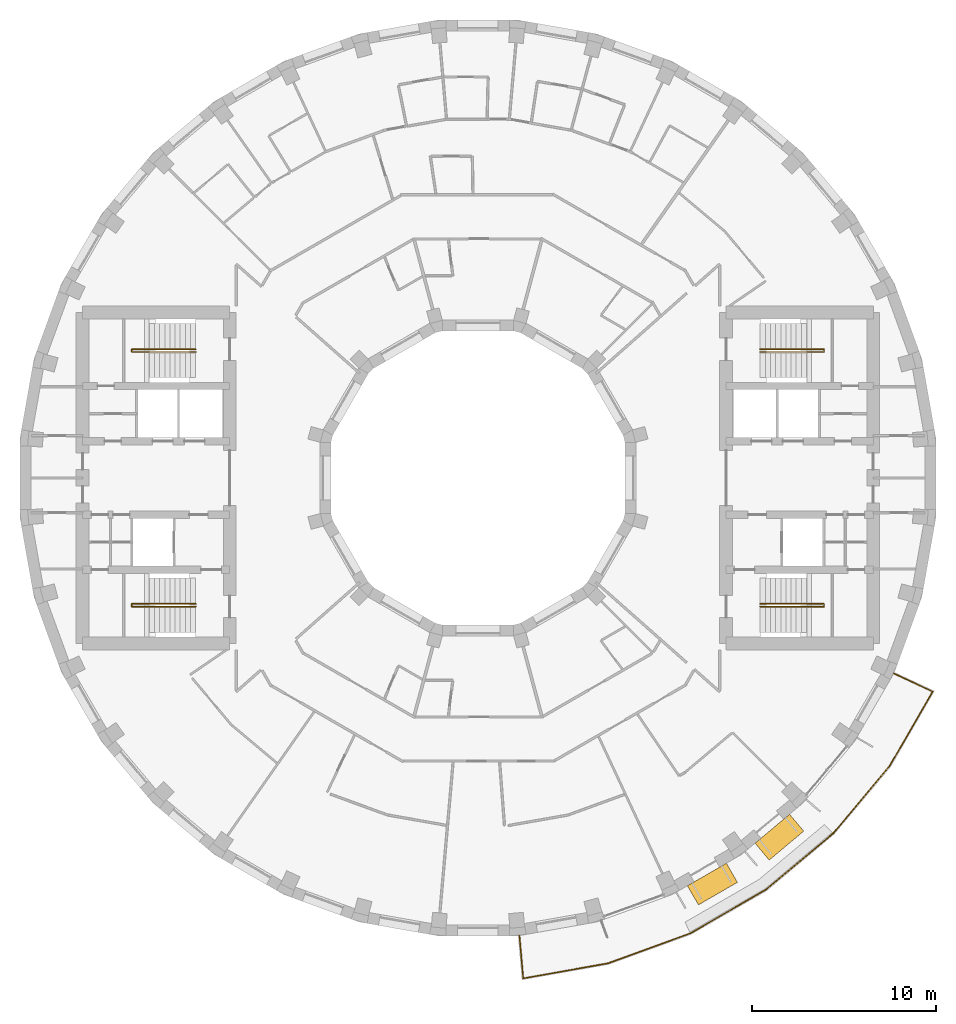
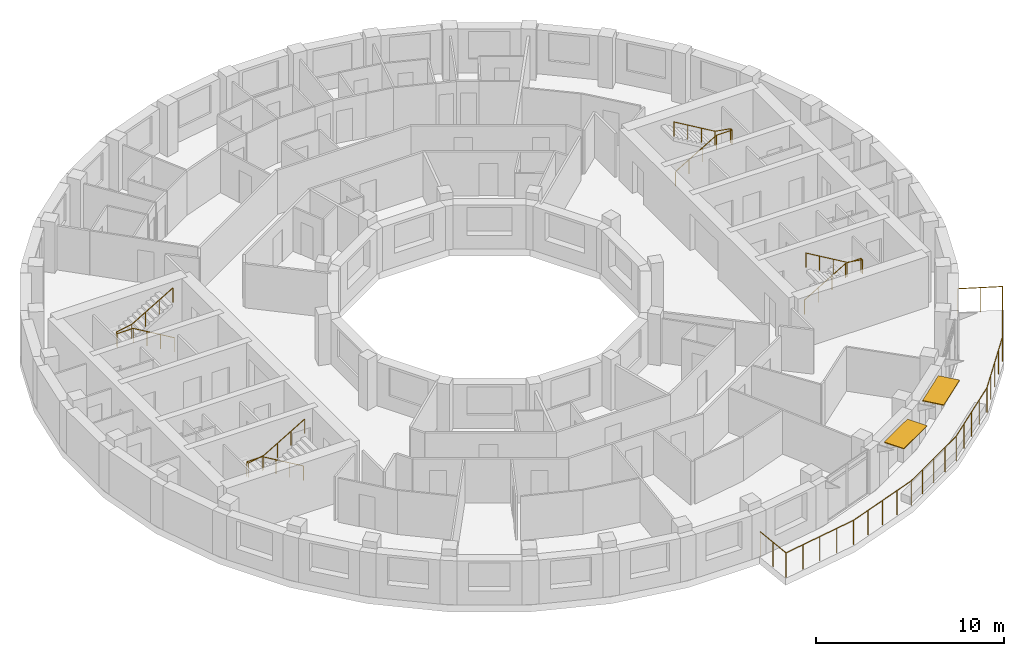
# One storey, part 15 of 15: 5 railings, 2 shading devices.
"""IFC4 building model written with IfcOpenShell, lengths in metres."""

from ifc_helpers import new_model, si_unit, direction, frame, origin, origin_2d, place, context, subcontext, project, spatial, rectangle, circle, extrude, material, layer, layer_set, type_object, element, save


model = new_model("IFC4")

# Units and contexts
model_context = context("Model", 3, precision=1e-05, world=origin(), true_north=direction((0.0, 1.0)))
body_context = subcontext(model_context, "Body", "Model", "MODEL_VIEW")
ifc_project = project(units=[si_unit("LENGTHUNIT", "METRE"), si_unit("AREAUNIT", "SQUARE_METRE"), si_unit("VOLUMEUNIT", "CUBIC_METRE"), si_unit("PLANEANGLEUNIT", "RADIAN"), si_unit("MASSUNIT", "GRAM", prefix="KILO")], contexts=[model_context])

# Site, building, storey
site_placement = place(None, origin())
site = spatial("IfcSite", under=ifc_project, at=site_placement, CompositionType="ELEMENT")
building_placement = place(site_placement, origin())
building = spatial("IfcBuilding", under=site, at=building_placement, Name="Saqina Gate Tower", CompositionType="ELEMENT")
storey_placement = place(building_placement, frame((0.0, 0.0, 164.10009765625)))
storey = spatial("IfcBuildingStorey", under=building, at=storey_placement, Name="L46", CompositionType="ELEMENT", Elevation=164.10009765625)

# Shading devices
ifc_material_1 = material(Name="Aluminium and fabric awning", Category="aluminium")
ifc_layer = layer(ifc_material_1, 0.050048828125)
ifc_layer_set = layer_set([ifc_layer], Name="AW-TERRACE")
shading_device_type = type_object("IfcShadingDeviceType", Name="AW-TERRACE", PredefinedType="AWNING", material=ifc_layer_set)
for number, where, z_axis, x_axis, name in (
    (1, (12.75244140625, -22.087890625, 2.52490234375), (0.0, 0.0, 1.0), (0.866025403784, 0.5, 0.0), "Terrace awning L46 facet 30"),
    (2, (16.394287109375, -19.537841796875, 2.52490234375), (0.0, 0.0, 1.0), (0.766044443119, 0.642787609687, 0.0), "Terrace awning L46 facet 31"),
):
    element("IfcShadingDevice", number, at=place(storey_placement, frame(where, z_axis=z_axis, x_axis=x_axis)), inside=storey, type_object=shading_device_type, Name=name, PredefinedType="AWNING", context=body_context, shape_type="SweptSolid", body=[
        extrude(rectangle(XDim=2.44970703125, YDim=1.199951171875, at=origin_2d()), origin(), (0.0, 0.0, 1.0), 0.050048828125),
    ])

# Railings
ifc_material_2 = material(Name="Stainless steel", Category="steel")
railing_type_1 = type_object("IfcRailingType", Name="RL-TERRACE", PredefinedType="GUARDRAIL", material=ifc_material_2)
railing_1_placement = place(storey_placement, frame((2.25341796875, -24.838134765625, 0.0)))
element("IfcRailing", 3, at=railing_1_placement, inside=storey, type_object=railing_type_1, Name="Terrace guard L46", PredefinedType="GUARDRAIL", context=body_context, shape_type="SweptSolid", body=[
    extrude(circle(Radius=0.02392578125, at=origin_2d()), frame((0.0, 0.0, 1.576171875), z_axis=(0.087172021187, -0.996193273779, 0.0), x_axis=(0.996193273779, 0.087172021187, 0.0)), (0.0, 0.0, 1.0), 2.388916015625),
    extrude(circle(Radius=0.02392578125, at=origin_2d()), frame((0.208251953125, -2.3798828125, 1.576171875), z_axis=(0.984544937317, 0.175132139837, 0.0), x_axis=(-0.175132139837, 0.984544937317, 0.0)), (0.0, 0.0, 1.0), 4.68408203125),
    extrude(circle(Radius=0.02392578125, at=origin_2d()), frame((4.81982421875, -1.5595703125, 1.576171875), z_axis=(0.939688638318, 0.342031084868, 0.0), x_axis=(-0.342031084868, 0.939688638318, 0.0)), (0.0, 0.0, 1.0), 4.763916015625),
    extrude(circle(Radius=0.02392578125, at=origin_2d()), frame((9.29638671875, 0.06982421875, 1.576171875), z_axis=(0.866026842905, 0.499997507361, 0.0), x_axis=(-0.499997507361, 0.866026842905, 0.0)), (0.0, 0.0, 1.0), 4.763671875),
    extrude(circle(Radius=0.02392578125, at=origin_2d()), frame((13.421875, 2.45166015625, 1.576171875), z_axis=(0.766045003037, 0.642786942402, 0.0), x_axis=(-0.642786942402, 0.766045003037, 0.0)), (0.0, 0.0, 1.0), 4.763671875),
    extrude(circle(Radius=0.02392578125, at=origin_2d()), frame((17.071044921875, 5.513671875, 1.576171875), z_axis=(0.642786942402, 0.766045003037, 0.0), x_axis=(-0.766045003037, 0.642786942402, 0.0)), (0.0, 0.0, 1.0), 4.763671875),
    extrude(circle(Radius=0.02392578125, at=origin_2d()), frame((20.133056640625, 9.162841796875, 1.576171875), z_axis=(0.501305396981, 0.865270419555, 0.0), x_axis=(-0.865270419555, 0.501305396981, 0.0)), (0.0, 0.0, 1.0), 4.68408203125),
    extrude(circle(Radius=0.02392578125, at=origin_2d()), frame((22.481201171875, 13.2158203125, 1.576171875), z_axis=(-0.906277108403, 0.422684046048, 0.0), x_axis=(-0.422684046048, -0.906277108403, 0.0)), (0.0, 0.0, 1.0), 2.388916015625),
    extrude(circle(Radius=0.02099609375, at=origin_2d()), origin(), (0.0, 0.0, 1.0), 1.552001953125),
    extrude(circle(Radius=0.02099609375, at=origin_2d()), frame((0.10400390625, -1.18994140625, 0.0)), (0.0, 0.0, 1.0), 1.552001953125),
    extrude(circle(Radius=0.02099609375, at=origin_2d()), frame((0.208251953125, -2.3798828125, 0.0)), (0.0, 0.0, 1.0), 1.552001953125),
    extrude(circle(Radius=0.02099609375, at=origin_2d()), frame((1.361083984375, -2.1748046875, 0.0)), (0.0, 0.0, 1.0), 1.552001953125),
    extrude(circle(Radius=0.02099609375, at=origin_2d()), frame((2.51416015625, -1.9697265625, 0.0)), (0.0, 0.0, 1.0), 1.552001953125),
    extrude(circle(Radius=0.02099609375, at=origin_2d()), frame((3.6669921875, -1.7646484375, 0.0)), (0.0, 0.0, 1.0), 1.552001953125),
    extrude(circle(Radius=0.02099609375, at=origin_2d()), frame((4.81982421875, -1.5595703125, 0.0)), (0.0, 0.0, 1.0), 1.552001953125),
    extrude(circle(Radius=0.02099609375, at=origin_2d()), frame((5.93896484375, -1.15234375, 0.0)), (0.0, 0.0, 1.0), 1.552001953125),
    extrude(circle(Radius=0.02099609375, at=origin_2d()), frame((7.05810546875, -0.744873046875, 0.0)), (0.0, 0.0, 1.0), 1.552001953125),
    extrude(circle(Radius=0.02099609375, at=origin_2d()), frame((8.17724609375, -0.33740234375, 0.0)), (0.0, 0.0, 1.0), 1.552001953125),
    extrude(circle(Radius=0.02099609375, at=origin_2d()), frame((9.29638671875, 0.06982421875, 0.0)), (0.0, 0.0, 1.0), 1.552001953125),
    extrude(circle(Radius=0.02099609375, at=origin_2d()), frame((10.32763671875, 0.665283203125, 0.0)), (0.0, 0.0, 1.0), 1.552001953125),
    extrude(circle(Radius=0.02099609375, at=origin_2d()), frame((11.359130859375, 1.2607421875, 0.0)), (0.0, 0.0, 1.0), 1.552001953125),
    extrude(circle(Radius=0.02099609375, at=origin_2d()), frame((12.390625, 1.856201171875, 0.0)), (0.0, 0.0, 1.0), 1.552001953125),
    extrude(circle(Radius=0.02099609375, at=origin_2d()), frame((13.421875, 2.45166015625, 0.0)), (0.0, 0.0, 1.0), 1.552001953125),
    extrude(circle(Radius=0.02099609375, at=origin_2d()), frame((14.334228515625, 3.21728515625, 0.0)), (0.0, 0.0, 1.0), 1.552001953125),
    extrude(circle(Radius=0.02099609375, at=origin_2d()), frame((15.24658203125, 3.982666015625, 0.0)), (0.0, 0.0, 1.0), 1.552001953125),
    extrude(circle(Radius=0.02099609375, at=origin_2d()), frame((16.15869140625, 4.748046875, 0.0)), (0.0, 0.0, 1.0), 1.552001953125),
    extrude(circle(Radius=0.02099609375, at=origin_2d()), frame((17.071044921875, 5.513671875, 0.0)), (0.0, 0.0, 1.0), 1.552001953125),
    extrude(circle(Radius=0.02099609375, at=origin_2d()), frame((17.83642578125, 6.426025390625, 0.0)), (0.0, 0.0, 1.0), 1.552001953125),
    extrude(circle(Radius=0.02099609375, at=origin_2d()), frame((18.60205078125, 7.33837890625, 0.0)), (0.0, 0.0, 1.0), 1.552001953125),
    extrude(circle(Radius=0.02099609375, at=origin_2d()), frame((19.36767578125, 8.25048828125, 0.0)), (0.0, 0.0, 1.0), 1.552001953125),
    extrude(circle(Radius=0.02099609375, at=origin_2d()), frame((20.133056640625, 9.162841796875, 0.0)), (0.0, 0.0, 1.0), 1.552001953125),
    extrude(circle(Radius=0.02099609375, at=origin_2d()), frame((20.72021484375, 10.176025390625, 0.0)), (0.0, 0.0, 1.0), 1.552001953125),
    extrude(circle(Radius=0.02099609375, at=origin_2d()), frame((21.30712890625, 11.189453125, 0.0)), (0.0, 0.0, 1.0), 1.552001953125),
    extrude(circle(Radius=0.02099609375, at=origin_2d()), frame((21.89404296875, 12.20263671875, 0.0)), (0.0, 0.0, 1.0), 1.552001953125),
    extrude(circle(Radius=0.02099609375, at=origin_2d()), frame((22.481201171875, 13.2158203125, 0.0)), (0.0, 0.0, 1.0), 1.552001953125),
    extrude(circle(Radius=0.02099609375, at=origin_2d()), frame((21.398681640625, 13.720703125, 0.0)), (0.0, 0.0, 1.0), 1.552001953125),
    extrude(circle(Radius=0.02099609375, at=origin_2d()), frame((20.316162109375, 14.2255859375, 0.0)), (0.0, 0.0, 1.0), 1.552001953125),
])
ifc_material_3 = material(Name="Stainless steel", Category="steel")
railing_type_2 = type_object("IfcRailingType", Name="STAIR HANDRAIL", PredefinedType="HANDRAIL", material=ifc_material_3)
railing_2_placement = place(storey_placement, frame((15.35009765625, 6.85009765625, 0.164794921875)))
element("IfcRailing", 4, at=railing_2_placement, inside=storey, type_object=railing_type_2, Name="EXIT STAIR 1 HANDRAIL", PredefinedType="HANDRAIL", context=body_context, shape_type="SweptSolid", body=[
    extrude(circle(Radius=0.02392578125, at=origin_2d()), frame((0.0, 0.0, 0.92578125), z_axis=(0.86152411907, 0.0, 0.507716645641), x_axis=(0.0, 1.0, 0.0)), (0.0, 0.0, 1.0), 2.925048828125),
    extrude(circle(Radius=0.02392578125, at=origin_2d()), frame((2.52001953125, 0.0, 2.4111328125), z_axis=(1.0, 0.0, 0.0), x_axis=(0.0, 1.0, 0.0)), (0.0, 0.0, 1.0), 0.949951171875),
    extrude(circle(Radius=0.02392578125, at=origin_2d()), frame((3.469970703125, 0.0, 2.4111328125), z_axis=(0.0, 1.0, 0.0), x_axis=(-1.0, 0.0, 0.0)), (0.0, 0.0, 1.0), 0.14990234375),
    extrude(circle(Radius=0.02392578125, at=origin_2d()), frame((3.469970703125, 0.14990234375, 2.4111328125), z_axis=(-0.985241474778, 0.0, 0.171170197109), x_axis=(0.0, -1.0, 0.0)), (0.0, 0.0, 1.0), 0.964111328125),
    extrude(circle(Radius=0.02392578125, at=origin_2d()), frame((2.52001953125, 0.14990234375, 2.576171875), z_axis=(-0.861560626758, 0.0, 0.507654692109), x_axis=(0.0, -1.0, 0.0)), (0.0, 0.0, 1.0), 2.925048828125),
    extrude(circle(Radius=0.02099609375, at=origin_2d()), origin(), (0.0, 0.0, 1.0), 0.90185546875),
    extrude(circle(Radius=0.02099609375, at=origin_2d()), frame((0.840087890625, 0.0, 0.4951171875)), (0.0, 0.0, 1.0), 0.90185546875),
    extrude(circle(Radius=0.02099609375, at=origin_2d()), frame((1.679931640625, 0.0, 0.989990234375)), (0.0, 0.0, 1.0), 0.90185546875),
    extrude(circle(Radius=0.02099609375, at=origin_2d()), frame((2.52001953125, 0.0, 1.485107421875)), (0.0, 0.0, 1.0), 0.90185546875),
    extrude(circle(Radius=0.02099609375, at=origin_2d()), frame((3.469970703125, 0.0, 1.485107421875)), (0.0, 0.0, 1.0), 0.90185546875),
    extrude(circle(Radius=0.02099609375, at=origin_2d()), frame((3.469970703125, 0.14990234375, 1.485107421875)), (0.0, 0.0, 1.0), 0.90185546875),
    extrude(circle(Radius=0.02099609375, at=origin_2d()), frame((2.52001953125, 0.14990234375, 1.650146484375)), (0.0, 0.0, 1.0), 0.90185546875),
    extrude(circle(Radius=0.02099609375, at=origin_2d()), frame((1.679931640625, 0.14990234375, 2.14501953125)), (0.0, 0.0, 1.0), 0.90185546875),
    extrude(circle(Radius=0.02099609375, at=origin_2d()), frame((0.840087890625, 0.14990234375, 2.64013671875)), (0.0, 0.0, 1.0), 0.90185546875),
    extrude(circle(Radius=0.02099609375, at=origin_2d()), frame((0.0, 0.14990234375, 3.135009765625)), (0.0, 0.0, 1.0), 0.90185546875),
])
railing_3_placement = place(storey_placement, frame((15.35009765625, -6.85009765625, 0.164794921875)))
element("IfcRailing", 5, at=railing_3_placement, inside=storey, type_object=railing_type_2, Name="EXIT STAIR 2 HANDRAIL", PredefinedType="HANDRAIL", context=body_context, shape_type="SweptSolid", body=[
    extrude(circle(Radius=0.02392578125, at=origin_2d()), frame((0.0, 0.0, 0.92578125), z_axis=(0.86152411907, 0.0, 0.507716645641), x_axis=(0.0, 1.0, 0.0)), (0.0, 0.0, 1.0), 2.925048828125),
    extrude(circle(Radius=0.02392578125, at=origin_2d()), frame((2.52001953125, 0.0, 2.4111328125), z_axis=(1.0, 0.0, 0.0), x_axis=(0.0, 1.0, 0.0)), (0.0, 0.0, 1.0), 0.949951171875),
    extrude(circle(Radius=0.02392578125, at=origin_2d()), frame((3.469970703125, 0.0, 2.4111328125), z_axis=(0.0, -1.0, 0.0), x_axis=(1.0, 0.0, 0.0)), (0.0, 0.0, 1.0), 0.14990234375),
    extrude(circle(Radius=0.02392578125, at=origin_2d()), frame((3.469970703125, -0.14990234375, 2.4111328125), z_axis=(-0.985241474778, 0.0, 0.171170197109), x_axis=(0.0, -1.0, 0.0)), (0.0, 0.0, 1.0), 0.964111328125),
    extrude(circle(Radius=0.02392578125, at=origin_2d()), frame((2.52001953125, -0.14990234375, 2.576171875), z_axis=(-0.861560626758, 0.0, 0.507654692109), x_axis=(0.0, -1.0, 0.0)), (0.0, 0.0, 1.0), 2.925048828125),
    extrude(circle(Radius=0.02099609375, at=origin_2d()), origin(), (0.0, 0.0, 1.0), 0.90185546875),
    extrude(circle(Radius=0.02099609375, at=origin_2d()), frame((0.840087890625, 0.0, 0.4951171875)), (0.0, 0.0, 1.0), 0.90185546875),
    extrude(circle(Radius=0.02099609375, at=origin_2d()), frame((1.679931640625, 0.0, 0.989990234375)), (0.0, 0.0, 1.0), 0.90185546875),
    extrude(circle(Radius=0.02099609375, at=origin_2d()), frame((2.52001953125, 0.0, 1.485107421875)), (0.0, 0.0, 1.0), 0.90185546875),
    extrude(circle(Radius=0.02099609375, at=origin_2d()), frame((3.469970703125, 0.0, 1.485107421875)), (0.0, 0.0, 1.0), 0.90185546875),
    extrude(circle(Radius=0.02099609375, at=origin_2d()), frame((3.469970703125, -0.14990234375, 1.485107421875)), (0.0, 0.0, 1.0), 0.90185546875),
    extrude(circle(Radius=0.02099609375, at=origin_2d()), frame((2.52001953125, -0.14990234375, 1.650146484375)), (0.0, 0.0, 1.0), 0.90185546875),
    extrude(circle(Radius=0.02099609375, at=origin_2d()), frame((1.679931640625, -0.14990234375, 2.14501953125)), (0.0, 0.0, 1.0), 0.90185546875),
    extrude(circle(Radius=0.02099609375, at=origin_2d()), frame((0.840087890625, -0.14990234375, 2.64013671875)), (0.0, 0.0, 1.0), 0.90185546875),
    extrude(circle(Radius=0.02099609375, at=origin_2d()), frame((0.0, -0.14990234375, 3.135009765625)), (0.0, 0.0, 1.0), 0.90185546875),
])
railing_4_placement = place(storey_placement, frame((-15.35009765625, 6.85009765625, 0.164794921875)))
element("IfcRailing", 6, at=railing_4_placement, inside=storey, type_object=railing_type_2, Name="EXIT STAIR 3 HANDRAIL", PredefinedType="HANDRAIL", context=body_context, shape_type="SweptSolid", body=[
    extrude(circle(Radius=0.02392578125, at=origin_2d()), frame((0.0, 0.0, 0.92578125), z_axis=(-0.86152411907, 0.0, 0.507716645641), x_axis=(0.0, -1.0, 0.0)), (0.0, 0.0, 1.0), 2.925048828125),
    extrude(circle(Radius=0.02392578125, at=origin_2d()), frame((-2.52001953125, 0.0, 2.4111328125), z_axis=(-1.0, 0.0, 0.0), x_axis=(0.0, -1.0, 0.0)), (0.0, 0.0, 1.0), 0.949951171875),
    extrude(circle(Radius=0.02392578125, at=origin_2d()), frame((-3.469970703125, 0.0, 2.4111328125), z_axis=(0.0, 1.0, 0.0), x_axis=(-1.0, 0.0, 0.0)), (0.0, 0.0, 1.0), 0.14990234375),
    extrude(circle(Radius=0.02392578125, at=origin_2d()), frame((-3.469970703125, 0.14990234375, 2.4111328125), z_axis=(0.985241474778, 0.0, 0.171170197109), x_axis=(0.0, 1.0, 0.0)), (0.0, 0.0, 1.0), 0.964111328125),
    extrude(circle(Radius=0.02392578125, at=origin_2d()), frame((-2.52001953125, 0.14990234375, 2.576171875), z_axis=(0.861560626758, 0.0, 0.507654692109), x_axis=(0.0, 1.0, 0.0)), (0.0, 0.0, 1.0), 2.925048828125),
    extrude(circle(Radius=0.02099609375, at=origin_2d()), origin(), (0.0, 0.0, 1.0), 0.90185546875),
    extrude(circle(Radius=0.02099609375, at=origin_2d()), frame((-0.840087890625, 0.0, 0.4951171875)), (0.0, 0.0, 1.0), 0.90185546875),
    extrude(circle(Radius=0.02099609375, at=origin_2d()), frame((-1.679931640625, 0.0, 0.989990234375)), (0.0, 0.0, 1.0), 0.90185546875),
    extrude(circle(Radius=0.02099609375, at=origin_2d()), frame((-2.52001953125, 0.0, 1.485107421875)), (0.0, 0.0, 1.0), 0.90185546875),
    extrude(circle(Radius=0.02099609375, at=origin_2d()), frame((-3.469970703125, 0.0, 1.485107421875)), (0.0, 0.0, 1.0), 0.90185546875),
    extrude(circle(Radius=0.02099609375, at=origin_2d()), frame((-3.469970703125, 0.14990234375, 1.485107421875)), (0.0, 0.0, 1.0), 0.90185546875),
    extrude(circle(Radius=0.02099609375, at=origin_2d()), frame((-2.52001953125, 0.14990234375, 1.650146484375)), (0.0, 0.0, 1.0), 0.90185546875),
    extrude(circle(Radius=0.02099609375, at=origin_2d()), frame((-1.679931640625, 0.14990234375, 2.14501953125)), (0.0, 0.0, 1.0), 0.90185546875),
    extrude(circle(Radius=0.02099609375, at=origin_2d()), frame((-0.840087890625, 0.14990234375, 2.64013671875)), (0.0, 0.0, 1.0), 0.90185546875),
    extrude(circle(Radius=0.02099609375, at=origin_2d()), frame((0.0, 0.14990234375, 3.135009765625)), (0.0, 0.0, 1.0), 0.90185546875),
])
railing_5_placement = place(storey_placement, frame((-15.35009765625, -6.85009765625, 0.164794921875)))
element("IfcRailing", 7, at=railing_5_placement, inside=storey, type_object=railing_type_2, Name="EXIT STAIR 4 HANDRAIL", PredefinedType="HANDRAIL", context=body_context, shape_type="SweptSolid", body=[
    extrude(circle(Radius=0.02392578125, at=origin_2d()), frame((0.0, 0.0, 0.92578125), z_axis=(-0.86152411907, 0.0, 0.507716645641), x_axis=(0.0, -1.0, 0.0)), (0.0, 0.0, 1.0), 2.925048828125),
    extrude(circle(Radius=0.02392578125, at=origin_2d()), frame((-2.52001953125, 0.0, 2.4111328125), z_axis=(-1.0, 0.0, 0.0), x_axis=(0.0, -1.0, 0.0)), (0.0, 0.0, 1.0), 0.949951171875),
    extrude(circle(Radius=0.02392578125, at=origin_2d()), frame((-3.469970703125, 0.0, 2.4111328125), z_axis=(0.0, -1.0, 0.0), x_axis=(1.0, 0.0, 0.0)), (0.0, 0.0, 1.0), 0.14990234375),
    extrude(circle(Radius=0.02392578125, at=origin_2d()), frame((-3.469970703125, -0.14990234375, 2.4111328125), z_axis=(0.985241474778, 0.0, 0.171170197109), x_axis=(0.0, 1.0, 0.0)), (0.0, 0.0, 1.0), 0.964111328125),
    extrude(circle(Radius=0.02392578125, at=origin_2d()), frame((-2.52001953125, -0.14990234375, 2.576171875), z_axis=(0.861560626758, 0.0, 0.507654692109), x_axis=(0.0, 1.0, 0.0)), (0.0, 0.0, 1.0), 2.925048828125),
    extrude(circle(Radius=0.02099609375, at=origin_2d()), origin(), (0.0, 0.0, 1.0), 0.90185546875),
    extrude(circle(Radius=0.02099609375, at=origin_2d()), frame((-0.840087890625, 0.0, 0.4951171875)), (0.0, 0.0, 1.0), 0.90185546875),
    extrude(circle(Radius=0.02099609375, at=origin_2d()), frame((-1.679931640625, 0.0, 0.989990234375)), (0.0, 0.0, 1.0), 0.90185546875),
    extrude(circle(Radius=0.02099609375, at=origin_2d()), frame((-2.52001953125, 0.0, 1.485107421875)), (0.0, 0.0, 1.0), 0.90185546875),
    extrude(circle(Radius=0.02099609375, at=origin_2d()), frame((-3.469970703125, 0.0, 1.485107421875)), (0.0, 0.0, 1.0), 0.90185546875),
    extrude(circle(Radius=0.02099609375, at=origin_2d()), frame((-3.469970703125, -0.14990234375, 1.485107421875)), (0.0, 0.0, 1.0), 0.90185546875),
    extrude(circle(Radius=0.02099609375, at=origin_2d()), frame((-2.52001953125, -0.14990234375, 1.650146484375)), (0.0, 0.0, 1.0), 0.90185546875),
    extrude(circle(Radius=0.02099609375, at=origin_2d()), frame((-1.679931640625, -0.14990234375, 2.14501953125)), (0.0, 0.0, 1.0), 0.90185546875),
    extrude(circle(Radius=0.02099609375, at=origin_2d()), frame((-0.840087890625, -0.14990234375, 2.64013671875)), (0.0, 0.0, 1.0), 0.90185546875),
    extrude(circle(Radius=0.02099609375, at=origin_2d()), frame((0.0, -0.14990234375, 3.135009765625)), (0.0, 0.0, 1.0), 0.90185546875),
])

save(model, "model.ifc")
